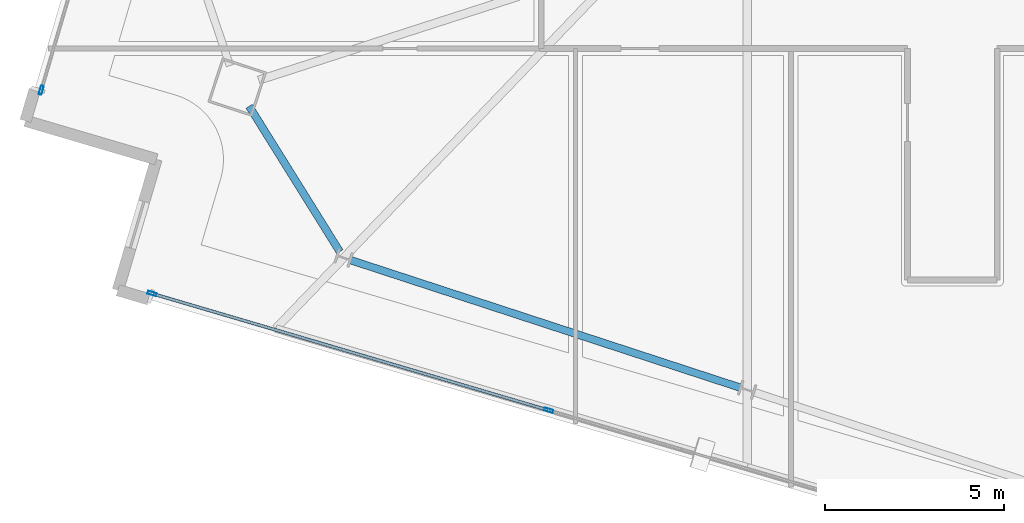
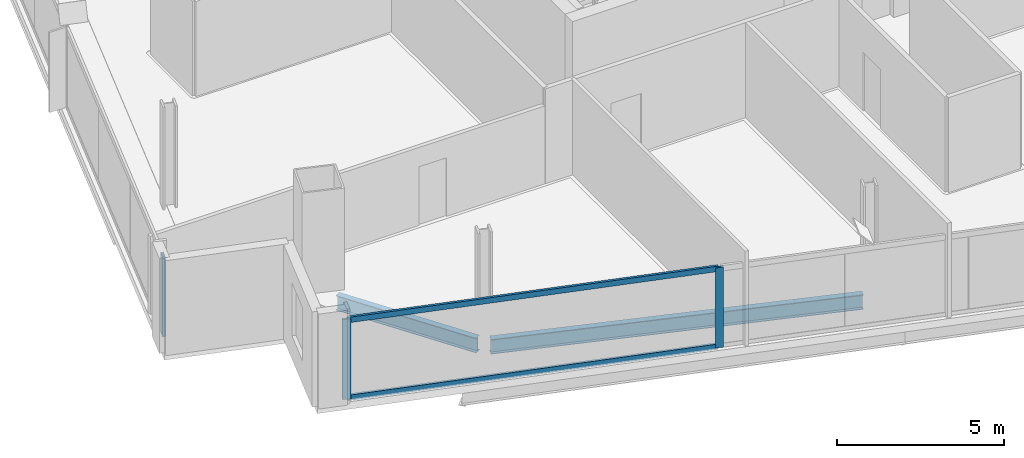
# One storey, part 2 of 26: 5 members, 2 beams, 2 elements without a shape of their own.
"""IFC4 building model written with IfcOpenShell, lengths in metres."""

from ifc_helpers import new_model, si_unit, direction, frame, origin, origin_2d, place, context, subcontext, project, spatial, hollow_rectangle, i_section, extrude, material, material_profile, profile_set, type_object, element, aggregate, save


model = new_model("IFC4")

# Units and contexts
model_context = context("Model", 3, precision=1e-05, world=origin(), true_north=direction((0.0, 1.0)))
body_context = subcontext(model_context, "Body", "Model", "MODEL_VIEW")
ifc_project = project(units=[si_unit("LENGTHUNIT", "METRE"), si_unit("AREAUNIT", "SQUARE_METRE"), si_unit("VOLUMEUNIT", "CUBIC_METRE"), si_unit("PLANEANGLEUNIT", "RADIAN"), si_unit("MASSUNIT", "GRAM", prefix="KILO")], contexts=[model_context])

# Site, building, storey
site_placement = place(None, origin())
site = spatial("IfcSite", under=ifc_project, at=site_placement, CompositionType="ELEMENT")
building_placement = place(site_placement, origin())
building = spatial("IfcBuilding", under=site, at=building_placement, Name="Haldenkirk Collegiate Tower", CompositionType="ELEMENT")
storey_placement = place(building_placement, frame((0.0, 0.0, 274.949951171875)))
storey = spatial("IfcBuildingStorey", under=building, at=storey_placement, Name="L69", CompositionType="ELEMENT", Elevation=274.949951171875)

# Beams
ifc_material_1 = material(Name="Steel ASTM A992 Grade 50", Category="steel")
ifc_material_profile_1 = material_profile(ifc_material_1, i_section(OverallWidth=0.2099609375, OverallDepth=0.537109375, WebThickness=0.010986328125, FlangeThickness=0.017333984375, at=origin_2d()), Name="W21X68")
ifc_profile_set_1 = profile_set([ifc_material_profile_1], Name="Steel ASTM A992 Grade 50")
beam_type = type_object("IfcBeamType", Name="BM-SPANDREL-W21X68", PredefinedType="SPANDREL", material=ifc_profile_set_1)
beam_1_placement = place(storey_placement, frame((16.41064453125, 13.939697265625, -0.538330078125), z_axis=(0.528899826427, -0.848684260255, 0.0), x_axis=(0.848684260255, 0.528899826427, 0.0)))
element("IfcBeam", 1, at=beam_1_placement, inside=storey, type_object=beam_type, Name="L69 perimeter spandrel beam 13", PredefinedType="SPANDREL", context=body_context, shape_type="SweptSolid", body=[
    extrude(i_section(OverallWidth=0.2099609375, OverallDepth=0.537109375, WebThickness=0.010986328125, FlangeThickness=0.017333984375, at=origin_2d()), origin(), (0.0, 0.0, 1.0), 4.77392578125),
])
beam_2_placement = place(storey_placement, frame((19.235107421875, 9.6533203125, -0.538330078125), z_axis=(0.950408846531, -0.311003254701, 0.0), x_axis=(0.311003254701, 0.950408846531, 0.0)))
element("IfcBeam", 2, at=beam_2_placement, inside=storey, type_object=beam_type, Name="L69 perimeter spandrel beam 14", PredefinedType="SPANDREL", context=body_context, shape_type="SweptSolid", body=[
    extrude(i_section(OverallWidth=0.2099609375, OverallDepth=0.537109375, WebThickness=0.010986328125, FlangeThickness=0.017333984375, at=origin_2d()), origin(), (0.0, 0.0, 1.0), 11.421875),
])

# Curtain wall, member
ifc_material_2 = material(Name="Anodised architectural bronze aluminium", Category="aluminium")
curtain_wall_type = type_object("IfcCurtainWallType", Name="CW-SYS1B-CONVEX-HI", PredefinedType="USERDEFINED", material=ifc_material_2)
curtain_wall_1_placement = place(storey_placement, origin())
curtain_wall_1 = element("IfcCurtainWall", 3, at=curtain_wall_1_placement, inside=storey, type_object=curtain_wall_type, Name="L69 Upper tower high-wind convex bronze unitised curtain wall", ObjectType="UNITISED CURTAIN WALL", PredefinedType="USERDEFINED")
ifc_material_profile_2 = material_profile(ifc_material_2, hollow_rectangle(XDim=0.0849609375, YDim=0.25, WallThickness=0.0048828125, at=origin_2d()), Name="CW-MUL-1B")
ifc_profile_set_2 = profile_set([ifc_material_profile_2], Name="Anodised architectural bronze aluminium")
member_type_1 = type_object("IfcMemberType", Name="CW-MUL-1B", PredefinedType="MULLION", material=ifc_profile_set_2)
member_1_placement = place(storey_placement, frame((10.618408203125, 14.386474609375, 0.0), z_axis=(0.0, 0.0, 1.0), x_axis=(-0.959313201859, 0.282344082174, 0.0)))
member_1 = element("IfcMember", 4, at=member_1_placement, type_object=member_type_1, Name="CW-1B mullion 1", PredefinedType="MULLION", context=body_context, shape_type="SweptSolid", body=[
    extrude(hollow_rectangle(XDim=0.0849609375, YDim=0.25, WallThickness=0.0048828125, at=origin_2d()), origin(), (0.0, 0.0, 1.0), 2.93798828125),
])
aggregate(curtain_wall_1, [member_1])

# Curtain wall, members
curtain_wall_2_placement = place(storey_placement, origin())
curtain_wall_2 = element("IfcCurtainWall", 5, at=curtain_wall_2_placement, inside=storey, type_object=curtain_wall_type, Name="L69 Upper tower high-wind convex bronze unitised curtain wall", ObjectType="UNITISED CURTAIN WALL", PredefinedType="USERDEFINED")
member_2_placement = place(storey_placement, frame((24.754150390625, 5.469970703125, 0.0), z_axis=(0.0, 0.0, 1.0), x_axis=(-0.282341816085, -0.959313868809, 0.0)))
member_2 = element("IfcMember", 6, at=member_2_placement, type_object=member_type_1, Name="CW-1B mullion 3", PredefinedType="MULLION", context=body_context, shape_type="SweptSolid", body=[
    extrude(hollow_rectangle(XDim=0.0849609375, YDim=0.25, WallThickness=0.0048828125, at=origin_2d()), origin(), (0.0, 0.0, 1.0), 2.93798828125),
])
member_3_placement = place(storey_placement, frame((13.70703125, 8.72119140625, 0.0), z_axis=(0.0, 0.0, 1.0), x_axis=(-0.282341816085, -0.959313868809, 0.0)))
member_3 = element("IfcMember", 7, at=member_3_placement, type_object=member_type_1, Name="CW-1B mullion 4", PredefinedType="MULLION", context=body_context, shape_type="SweptSolid", body=[
    extrude(hollow_rectangle(XDim=0.0849609375, YDim=0.25, WallThickness=0.0048828125, at=origin_2d()), origin(), (0.0, 0.0, 1.0), 2.93798828125),
])
ifc_material_profile_3 = material_profile(ifc_material_2, hollow_rectangle(XDim=0.0849609375, YDim=0.199951171875, WallThickness=0.0048828125, at=origin_2d()), Name="CW-TRN-1B")
ifc_profile_set_3 = profile_set([ifc_material_profile_3], Name="Anodised architectural bronze aluminium")
member_type_2 = type_object("IfcMemberType", Name="CW-TRN-1B", PredefinedType="USERDEFINED", material=ifc_profile_set_3)
member_4_placement = place(storey_placement, frame((24.71337890625, 5.48193359375, 0.04248046875), z_axis=(-0.959315151087, 0.28233745925, 0.0), x_axis=(-0.28233745925, -0.959315151087, 0.0)))
member_4 = element("IfcMember", 8, at=member_4_placement, type_object=member_type_2, Name="CW-1B transom 3.1", ObjectType="TRANSOM", PredefinedType="USERDEFINED", context=body_context, shape_type="SweptSolid", body=[
    extrude(hollow_rectangle(XDim=0.0849609375, YDim=0.199951171875, WallThickness=0.0048828125, at=origin_2d()), origin(), (0.0, 0.0, 1.0), 11.4306640625),
])
member_5_placement = place(storey_placement, frame((24.71337890625, 5.48193359375, 2.8955078125), z_axis=(-0.959315151087, 0.28233745925, 0.0), x_axis=(-0.28233745925, -0.959315151087, 0.0)))
member_5 = element("IfcMember", 9, at=member_5_placement, type_object=member_type_2, Name="CW-1B transom 3.2", ObjectType="TRANSOM", PredefinedType="USERDEFINED", context=body_context, shape_type="SweptSolid", body=[
    extrude(hollow_rectangle(XDim=0.0849609375, YDim=0.199951171875, WallThickness=0.0048828125, at=origin_2d()), origin(), (0.0, 0.0, 1.0), 11.4306640625),
])
aggregate(curtain_wall_2, [member_2, member_3, member_4, member_5])

save(model, "model.ifc")
